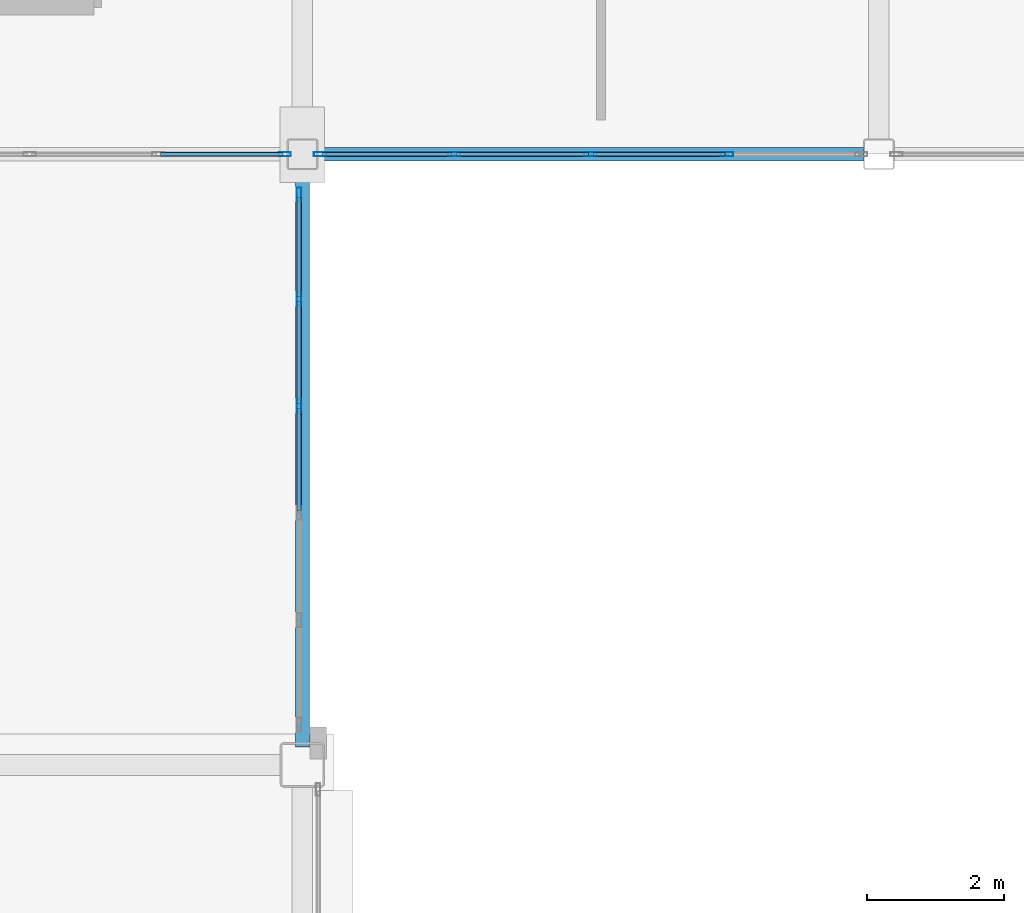
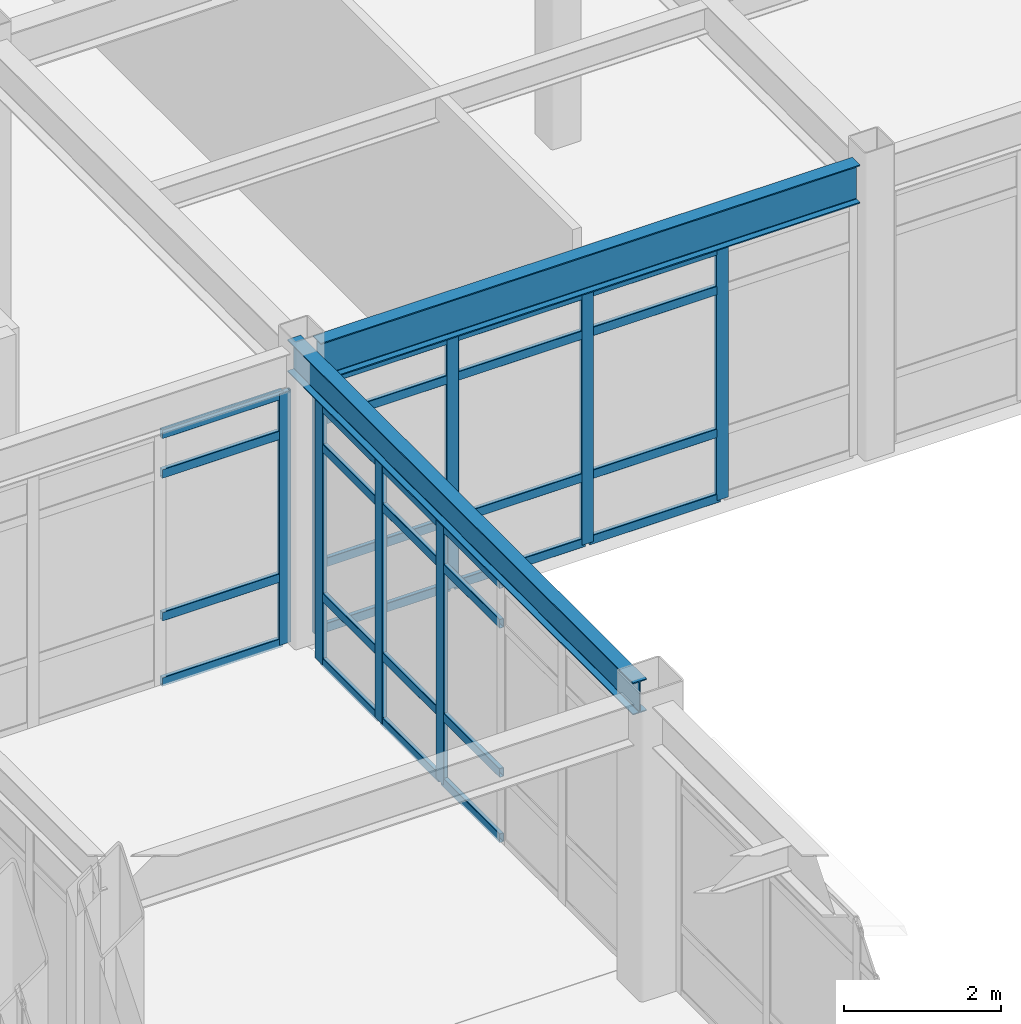
# One storey, part 76 of 172: 36 members, 2 beams, 3 elements without a shape of their own.
"""IFC4 building model written with IfcOpenShell, lengths in metres."""

from ifc_helpers import new_model, si_unit, direction, frame, origin, origin_2d, place, context, subcontext, project, spatial, hollow_rectangle, i_section, extrude, material, layer, layer_set, material_profile, profile_set, type_object, element, aggregate, save


model = new_model("IFC4")

# Units and contexts
model_context = context("Model", 3, precision=1e-05, world=origin(), true_north=direction((0.0, 1.0)))
body_context = subcontext(model_context, "Body", "Model", "MODEL_VIEW")
ifc_project = project(units=[si_unit("LENGTHUNIT", "METRE"), si_unit("AREAUNIT", "SQUARE_METRE"), si_unit("VOLUMEUNIT", "CUBIC_METRE"), si_unit("PLANEANGLEUNIT", "RADIAN"), si_unit("MASSUNIT", "GRAM", prefix="KILO")], contexts=[model_context])

# Site, building, storey
site_placement = place(None, origin())
site = spatial("IfcSite", under=ifc_project, at=site_placement, CompositionType="ELEMENT")
building_placement = place(site_placement, origin())
building = spatial("IfcBuilding", under=site, at=building_placement, Name="Kazehara Bluff Congress Hotel", CompositionType="ELEMENT")
storey_placement = place(building_placement, frame((0.0, 0.0, 5.39990234375)))
storey = spatial("IfcBuildingStorey", under=building, at=storey_placement, Name="L01", CompositionType="ELEMENT", Elevation=5.39990234375)

# Curtain wall, member
ifc_material_1 = material(Name="Anodised aluminium", Category="aluminium")
ifc_layer_1 = layer(ifc_material_1, 0.159912109375)
ifc_layer_set_1 = layer_set([ifc_layer_1], Name="Anodised aluminium")
curtain_wall_type_1 = type_object("IfcCurtainWallType", Name="TP-CW-13", PredefinedType="NOTDEFINED", material=ifc_layer_set_1)
curtain_wall_1_placement = place(storey_placement, origin())
curtain_wall_1 = element("IfcCurtainWall", 1, at=curtain_wall_1_placement, inside=storey, type_object=curtain_wall_type_1, Name="L01 curtain wall CW-13 CW-V3-L01-Y8090-5992", PredefinedType="NOTDEFINED")
ifc_material_2 = material(Name="Anodised aluminium", Category="aluminium")
ifc_material_profile_1 = material_profile(ifc_material_2, hollow_rectangle(XDim=0.06494140625, YDim=0.179931640625, WallThickness=0.00390625, InnerFilletRadius=0.00390625, OuterFilletRadius=0.008056640625, at=origin_2d()))
ifc_profile_set_1 = profile_set([ifc_material_profile_1], Name="Anodised aluminium")
member_type_1 = type_object("IfcMemberType", Name="TP-CWM-02", PredefinedType="MULLION", material=ifc_profile_set_1)
member_1_placement = place(storey_placement, frame((67.392578125, 80.89990234375, 0.0), z_axis=(0.0, 0.0, 1.0), x_axis=(0.0, 1.0, 0.0)))
member_1 = element("IfcMember", 2, at=member_1_placement, type_object=member_type_1, Name="CW-13 mullion 5", PredefinedType="MULLION", context=body_context, shape_type="SweptSolid", body=[
    extrude(hollow_rectangle(XDim=0.06494140625, YDim=0.179931640625, WallThickness=0.00390625, InnerFilletRadius=0.00390625, OuterFilletRadius=0.008056640625, at=origin_2d()), origin(), (0.0, 0.0, 1.0), 3.925048828125),
])

# Curtain wall, members
ifc_material_3 = material(Name="Anodised aluminium", Category="aluminium")
ifc_layer_2 = layer(ifc_material_3, 0.159912109375)
ifc_layer_set_2 = layer_set([ifc_layer_2], Name="Anodised aluminium")
curtain_wall_type_2 = type_object("IfcCurtainWallType", Name="TP-CW-37", PredefinedType="NOTDEFINED", material=ifc_layer_set_2)
curtain_wall_2_placement = place(storey_placement, origin())
curtain_wall_2 = element("IfcCurtainWall", 3, at=curtain_wall_2_placement, inside=storey, type_object=curtain_wall_type_2, Name="L01 curtain wall CW-37 CW-V3-L01-Y8090-6788", PredefinedType="NOTDEFINED")
member_2_placement = place(storey_placement, frame((67.907470703125, 80.89990234375, 0.0), z_axis=(0.0, 0.0, 1.0), x_axis=(0.0, 1.0, 0.0)))
member_2 = element("IfcMember", 4, at=member_2_placement, type_object=member_type_1, Name="CW-37 mullion 1", PredefinedType="MULLION", context=body_context, shape_type="SweptSolid", body=[
    extrude(hollow_rectangle(XDim=0.06494140625, YDim=0.179931640625, WallThickness=0.00390625, InnerFilletRadius=0.00390625, OuterFilletRadius=0.008056640625, at=origin_2d()), origin(), (0.0, 0.0, 1.0), 3.925048828125),
])
member_3_placement = place(storey_placement, frame((69.862548828125, 80.89990234375, 0.0), z_axis=(0.0, 0.0, 1.0), x_axis=(0.0, 1.0, 0.0)))
member_3 = element("IfcMember", 5, at=member_3_placement, type_object=member_type_1, Name="CW-37 mullion 2", PredefinedType="MULLION", context=body_context, shape_type="SweptSolid", body=[
    extrude(hollow_rectangle(XDim=0.06494140625, YDim=0.179931640625, WallThickness=0.00390625, InnerFilletRadius=0.00390625, OuterFilletRadius=0.008056640625, at=origin_2d()), origin(), (0.0, 0.0, 1.0), 3.925048828125),
])
member_4_placement = place(storey_placement, frame((71.85009765625, 80.89990234375, 0.0), z_axis=(0.0, 0.0, 1.0), x_axis=(0.0, 1.0, 0.0)))
member_4 = element("IfcMember", 6, at=member_4_placement, type_object=member_type_1, Name="CW-37 mullion 3", PredefinedType="MULLION", context=body_context, shape_type="SweptSolid", body=[
    extrude(hollow_rectangle(XDim=0.06494140625, YDim=0.179931640625, WallThickness=0.00390625, InnerFilletRadius=0.00390625, OuterFilletRadius=0.008056640625, at=origin_2d()), origin(), (0.0, 0.0, 1.0), 3.925048828125),
])
member_5_placement = place(storey_placement, frame((73.83740234375, 80.89990234375, 0.0), z_axis=(0.0, 0.0, 1.0), x_axis=(0.0, 1.0, 0.0)))
member_5 = element("IfcMember", 7, at=member_5_placement, type_object=member_type_1, Name="CW-37 mullion 4", PredefinedType="MULLION", context=body_context, shape_type="SweptSolid", body=[
    extrude(hollow_rectangle(XDim=0.06494140625, YDim=0.179931640625, WallThickness=0.00390625, InnerFilletRadius=0.00390625, OuterFilletRadius=0.008056640625, at=origin_2d()), origin(), (0.0, 0.0, 1.0), 3.925048828125),
])

ifc_material_4 = material(Name="Anodised aluminium", Category="aluminium")
ifc_layer_3 = layer(ifc_material_4, 0.159912109375)
ifc_layer_set_3 = layer_set([ifc_layer_3], Name="Anodised aluminium")
curtain_wall_type_3 = type_object("IfcCurtainWallType", Name="TP-CW-02", PredefinedType="NOTDEFINED", material=ifc_layer_set_3)
curtain_wall_3_placement = place(storey_placement, origin())
curtain_wall_3 = element("IfcCurtainWall", 8, at=curtain_wall_3_placement, inside=storey, type_object=curtain_wall_type_3, Name="L01 curtain wall CW-02 CW-BRG-34-L01-B", PredefinedType="NOTDEFINED")
ifc_material_5 = material(Name="Anodised aluminium", Category="aluminium")
ifc_material_profile_2 = material_profile(ifc_material_5, hollow_rectangle(XDim=0.070068359375, YDim=0.199951171875, WallThickness=0.0048828125, InnerFilletRadius=0.0048828125, OuterFilletRadius=0.010009765625, at=origin_2d()))
ifc_profile_set_2 = profile_set([ifc_material_profile_2], Name="Anodised aluminium")
member_type_2 = type_object("IfcMemberType", Name="TP-CWM-03", PredefinedType="MULLION", material=ifc_profile_set_2)
member_6_placement = place(storey_placement, frame((67.60009765625, 77.22998046875, 0.0), z_axis=(0.0, 0.0, 1.0), x_axis=(-1.0, 0.0, 0.0)))
member_6 = element("IfcMember", 9, at=member_6_placement, type_object=member_type_2, Name="CW-02 mullion 4", PredefinedType="MULLION", context=body_context, shape_type="SweptSolid", body=[
    extrude(hollow_rectangle(XDim=0.070068359375, YDim=0.199951171875, WallThickness=0.0048828125, InnerFilletRadius=0.0048828125, OuterFilletRadius=0.010009765625, at=origin_2d()), origin(), (0.0, 0.0, 1.0), 4.025146484375),
])
member_7_placement = place(storey_placement, frame((67.60009765625, 78.7900390625, 0.0), z_axis=(0.0, 0.0, 1.0), x_axis=(-1.0, 0.0, 0.0)))
member_7 = element("IfcMember", 10, at=member_7_placement, type_object=member_type_2, Name="CW-02 mullion 5", PredefinedType="MULLION", context=body_context, shape_type="SweptSolid", body=[
    extrude(hollow_rectangle(XDim=0.070068359375, YDim=0.199951171875, WallThickness=0.0048828125, InnerFilletRadius=0.0048828125, OuterFilletRadius=0.010009765625, at=origin_2d()), origin(), (0.0, 0.0, 1.0), 4.025146484375),
])
member_8_placement = place(storey_placement, frame((67.60009765625, 80.31494140625, 0.0), z_axis=(0.0, 0.0, 1.0), x_axis=(-1.0, 0.0, 0.0)))
member_8 = element("IfcMember", 11, at=member_8_placement, type_object=member_type_2, Name="CW-02 mullion 6", PredefinedType="MULLION", context=body_context, shape_type="SweptSolid", body=[
    extrude(hollow_rectangle(XDim=0.070068359375, YDim=0.199951171875, WallThickness=0.0048828125, InnerFilletRadius=0.0048828125, OuterFilletRadius=0.010009765625, at=origin_2d()), origin(), (0.0, 0.0, 1.0), 4.025146484375),
])
ifc_material_6 = material(Name="Anodised aluminium", Category="aluminium")
ifc_material_profile_3 = material_profile(ifc_material_6, hollow_rectangle(XDim=0.06494140625, YDim=0.139892578125, WallThickness=0.00390625, InnerFilletRadius=0.00390625, OuterFilletRadius=0.008056640625, at=origin_2d()))
ifc_profile_set_3 = profile_set([ifc_material_profile_3], Name="Anodised aluminium")
member_type_3 = type_object("IfcMemberType", Name="TP-CWT-02", PredefinedType="USERDEFINED", material=ifc_profile_set_3)
member_9_placement = place(storey_placement, frame((67.60009765625, 75.705078125, 0.03271484375), z_axis=(0.0, 1.0, 0.0), x_axis=(-1.0, 0.0, 0.0)))
member_9 = element("IfcMember", 12, at=member_9_placement, type_object=member_type_3, Name="CW-02 transom 3.1", ObjectType="TRANSOM", PredefinedType="USERDEFINED", context=body_context, shape_type="SweptSolid", body=[
    extrude(hollow_rectangle(XDim=0.06494140625, YDim=0.139892578125, WallThickness=0.00390625, InnerFilletRadius=0.00390625, OuterFilletRadius=0.008056640625, at=origin_2d()), origin(), (0.0, 0.0, 1.0), 1.489990234375),
])
member_10_placement = place(storey_placement, frame((67.60009765625, 75.705078125, 1.050048828125), z_axis=(0.0, 1.0, 0.0), x_axis=(-1.0, 0.0, 0.0)))
member_10 = element("IfcMember", 13, at=member_10_placement, type_object=member_type_3, Name="CW-02 transom 3.2", ObjectType="TRANSOM", PredefinedType="USERDEFINED", context=body_context, shape_type="SweptSolid", body=[
    extrude(hollow_rectangle(XDim=0.06494140625, YDim=0.139892578125, WallThickness=0.00390625, InnerFilletRadius=0.00390625, OuterFilletRadius=0.008056640625, at=origin_2d()), origin(), (0.0, 0.0, 1.0), 1.489990234375),
])
member_11_placement = place(storey_placement, frame((67.60009765625, 75.705078125, 3.375), z_axis=(0.0, 1.0, 0.0), x_axis=(-1.0, 0.0, 0.0)))
member_11 = element("IfcMember", 14, at=member_11_placement, type_object=member_type_3, Name="CW-02 transom 3.3", ObjectType="TRANSOM", PredefinedType="USERDEFINED", context=body_context, shape_type="SweptSolid", body=[
    extrude(hollow_rectangle(XDim=0.06494140625, YDim=0.139892578125, WallThickness=0.00390625, InnerFilletRadius=0.00390625, OuterFilletRadius=0.008056640625, at=origin_2d()), origin(), (0.0, 0.0, 1.0), 1.489990234375),
])
member_12_placement = place(storey_placement, frame((67.60009765625, 75.705078125, 3.99267578125), z_axis=(0.0, 1.0, 0.0), x_axis=(-1.0, 0.0, 0.0)))
member_12 = element("IfcMember", 15, at=member_12_placement, type_object=member_type_3, Name="CW-02 transom 3.4", ObjectType="TRANSOM", PredefinedType="USERDEFINED", context=body_context, shape_type="SweptSolid", body=[
    extrude(hollow_rectangle(XDim=0.06494140625, YDim=0.139892578125, WallThickness=0.00390625, InnerFilletRadius=0.00390625, OuterFilletRadius=0.008056640625, at=origin_2d()), origin(), (0.0, 0.0, 1.0), 1.489990234375),
])
member_13_placement = place(storey_placement, frame((67.60009765625, 77.264892578125, 0.03271484375), z_axis=(0.0, 1.0, 0.0), x_axis=(-1.0, 0.0, 0.0)))
member_13 = element("IfcMember", 16, at=member_13_placement, type_object=member_type_3, Name="CW-02 transom 4.1", ObjectType="TRANSOM", PredefinedType="USERDEFINED", context=body_context, shape_type="SweptSolid", body=[
    extrude(hollow_rectangle(XDim=0.06494140625, YDim=0.139892578125, WallThickness=0.00390625, InnerFilletRadius=0.00390625, OuterFilletRadius=0.008056640625, at=origin_2d()), origin(), (0.0, 0.0, 1.0), 1.489990234375),
])
member_14_placement = place(storey_placement, frame((67.60009765625, 77.264892578125, 1.050048828125), z_axis=(0.0, 1.0, 0.0), x_axis=(-1.0, 0.0, 0.0)))
member_14 = element("IfcMember", 17, at=member_14_placement, type_object=member_type_3, Name="CW-02 transom 4.2", ObjectType="TRANSOM", PredefinedType="USERDEFINED", context=body_context, shape_type="SweptSolid", body=[
    extrude(hollow_rectangle(XDim=0.06494140625, YDim=0.139892578125, WallThickness=0.00390625, InnerFilletRadius=0.00390625, OuterFilletRadius=0.008056640625, at=origin_2d()), origin(), (0.0, 0.0, 1.0), 1.489990234375),
])
member_15_placement = place(storey_placement, frame((67.60009765625, 77.264892578125, 3.375), z_axis=(0.0, 1.0, 0.0), x_axis=(-1.0, 0.0, 0.0)))
member_15 = element("IfcMember", 18, at=member_15_placement, type_object=member_type_3, Name="CW-02 transom 4.3", ObjectType="TRANSOM", PredefinedType="USERDEFINED", context=body_context, shape_type="SweptSolid", body=[
    extrude(hollow_rectangle(XDim=0.06494140625, YDim=0.139892578125, WallThickness=0.00390625, InnerFilletRadius=0.00390625, OuterFilletRadius=0.008056640625, at=origin_2d()), origin(), (0.0, 0.0, 1.0), 1.489990234375),
])
member_16_placement = place(storey_placement, frame((67.60009765625, 77.264892578125, 3.99267578125), z_axis=(0.0, 1.0, 0.0), x_axis=(-1.0, 0.0, 0.0)))
member_16 = element("IfcMember", 19, at=member_16_placement, type_object=member_type_3, Name="CW-02 transom 4.4", ObjectType="TRANSOM", PredefinedType="USERDEFINED", context=body_context, shape_type="SweptSolid", body=[
    extrude(hollow_rectangle(XDim=0.06494140625, YDim=0.139892578125, WallThickness=0.00390625, InnerFilletRadius=0.00390625, OuterFilletRadius=0.008056640625, at=origin_2d()), origin(), (0.0, 0.0, 1.0), 1.489990234375),
])
member_17_placement = place(storey_placement, frame((67.60009765625, 78.824951171875, 0.03271484375), z_axis=(0.0, 1.0, 0.0), x_axis=(-1.0, 0.0, 0.0)))
member_17 = element("IfcMember", 20, at=member_17_placement, type_object=member_type_3, Name="CW-02 transom 5.1", ObjectType="TRANSOM", PredefinedType="USERDEFINED", context=body_context, shape_type="SweptSolid", body=[
    extrude(hollow_rectangle(XDim=0.06494140625, YDim=0.139892578125, WallThickness=0.00390625, InnerFilletRadius=0.00390625, OuterFilletRadius=0.008056640625, at=origin_2d()), origin(), (0.0, 0.0, 1.0), 1.455078125),
])
member_18_placement = place(storey_placement, frame((67.60009765625, 78.824951171875, 1.050048828125), z_axis=(0.0, 1.0, 0.0), x_axis=(-1.0, 0.0, 0.0)))
member_18 = element("IfcMember", 21, at=member_18_placement, type_object=member_type_3, Name="CW-02 transom 5.2", ObjectType="TRANSOM", PredefinedType="USERDEFINED", context=body_context, shape_type="SweptSolid", body=[
    extrude(hollow_rectangle(XDim=0.06494140625, YDim=0.139892578125, WallThickness=0.00390625, InnerFilletRadius=0.00390625, OuterFilletRadius=0.008056640625, at=origin_2d()), origin(), (0.0, 0.0, 1.0), 1.455078125),
])
member_19_placement = place(storey_placement, frame((67.60009765625, 78.824951171875, 3.375), z_axis=(0.0, 1.0, 0.0), x_axis=(-1.0, 0.0, 0.0)))
member_19 = element("IfcMember", 22, at=member_19_placement, type_object=member_type_3, Name="CW-02 transom 5.3", ObjectType="TRANSOM", PredefinedType="USERDEFINED", context=body_context, shape_type="SweptSolid", body=[
    extrude(hollow_rectangle(XDim=0.06494140625, YDim=0.139892578125, WallThickness=0.00390625, InnerFilletRadius=0.00390625, OuterFilletRadius=0.008056640625, at=origin_2d()), origin(), (0.0, 0.0, 1.0), 1.455078125),
])
member_20_placement = place(storey_placement, frame((67.60009765625, 78.824951171875, 3.99267578125), z_axis=(0.0, 1.0, 0.0), x_axis=(-1.0, 0.0, 0.0)))
member_20 = element("IfcMember", 23, at=member_20_placement, type_object=member_type_3, Name="CW-02 transom 5.4", ObjectType="TRANSOM", PredefinedType="USERDEFINED", context=body_context, shape_type="SweptSolid", body=[
    extrude(hollow_rectangle(XDim=0.06494140625, YDim=0.139892578125, WallThickness=0.00390625, InnerFilletRadius=0.00390625, OuterFilletRadius=0.008056640625, at=origin_2d()), origin(), (0.0, 0.0, 1.0), 1.455078125),
])
aggregate(curtain_wall_3, [member_6, member_7, member_8, member_9, member_10, member_11, member_12, member_13, member_14, member_15, member_16, member_17, member_18, member_19, member_20])

# Member
member_21_placement = place(storey_placement, frame((65.58251953125, 80.89990234375, 0.03271484375), z_axis=(1.0, 0.0, 0.0), x_axis=(0.0, 1.0, 0.0)))
member_21 = element("IfcMember", 24, at=member_21_placement, type_object=member_type_3, Name="CW-13 transom 4.1", ObjectType="TRANSOM", PredefinedType="USERDEFINED", context=body_context, shape_type="SweptSolid", body=[
    extrude(hollow_rectangle(XDim=0.06494140625, YDim=0.139892578125, WallThickness=0.00390625, InnerFilletRadius=0.00390625, OuterFilletRadius=0.008056640625, at=origin_2d()), origin(), (0.0, 0.0, 1.0), 1.777587890625),
])

member_22_placement = place(storey_placement, frame((65.58251953125, 80.89990234375, 1.050048828125), z_axis=(1.0, 0.0, 0.0), x_axis=(0.0, 1.0, 0.0)))
member_22 = element("IfcMember", 25, at=member_22_placement, type_object=member_type_3, Name="CW-13 transom 4.2", ObjectType="TRANSOM", PredefinedType="USERDEFINED", context=body_context, shape_type="SweptSolid", body=[
    extrude(hollow_rectangle(XDim=0.06494140625, YDim=0.139892578125, WallThickness=0.00390625, InnerFilletRadius=0.00390625, OuterFilletRadius=0.008056640625, at=origin_2d()), origin(), (0.0, 0.0, 1.0), 1.777587890625),
])

member_23_placement = place(storey_placement, frame((65.58251953125, 80.89990234375, 3.275146484375), z_axis=(1.0, 0.0, 0.0), x_axis=(0.0, 1.0, 0.0)))
member_23 = element("IfcMember", 26, at=member_23_placement, type_object=member_type_3, Name="CW-13 transom 4.3", ObjectType="TRANSOM", PredefinedType="USERDEFINED", context=body_context, shape_type="SweptSolid", body=[
    extrude(hollow_rectangle(XDim=0.06494140625, YDim=0.139892578125, WallThickness=0.00390625, InnerFilletRadius=0.00390625, OuterFilletRadius=0.008056640625, at=origin_2d()), origin(), (0.0, 0.0, 1.0), 1.777587890625),
])

member_24_placement = place(storey_placement, frame((65.58251953125, 80.89990234375, 3.892578125), z_axis=(1.0, 0.0, 0.0), x_axis=(0.0, 1.0, 0.0)))
member_24 = element("IfcMember", 27, at=member_24_placement, type_object=member_type_3, Name="CW-13 transom 4.4", ObjectType="TRANSOM", PredefinedType="USERDEFINED", context=body_context, shape_type="SweptSolid", body=[
    extrude(hollow_rectangle(XDim=0.06494140625, YDim=0.139892578125, WallThickness=0.00390625, InnerFilletRadius=0.00390625, OuterFilletRadius=0.008056640625, at=origin_2d()), origin(), (0.0, 0.0, 1.0), 1.777587890625),
])

aggregate(curtain_wall_1, [member_1, member_21, member_22, member_23, member_24])

member_25_placement = place(storey_placement, frame((67.93994140625, 80.89990234375, 0.03271484375), z_axis=(1.0, 0.0, 0.0), x_axis=(0.0, 1.0, 0.0)))
member_25 = element("IfcMember", 28, at=member_25_placement, type_object=member_type_3, Name="CW-37 transom 1.1", ObjectType="TRANSOM", PredefinedType="USERDEFINED", context=body_context, shape_type="SweptSolid", body=[
    extrude(hollow_rectangle(XDim=0.06494140625, YDim=0.139892578125, WallThickness=0.00390625, InnerFilletRadius=0.00390625, OuterFilletRadius=0.008056640625, at=origin_2d()), origin(), (0.0, 0.0, 1.0), 1.89013671875),
])

member_26_placement = place(storey_placement, frame((67.93994140625, 80.89990234375, 1.050048828125), z_axis=(1.0, 0.0, 0.0), x_axis=(0.0, 1.0, 0.0)))
member_26 = element("IfcMember", 29, at=member_26_placement, type_object=member_type_3, Name="CW-37 transom 1.2", ObjectType="TRANSOM", PredefinedType="USERDEFINED", context=body_context, shape_type="SweptSolid", body=[
    extrude(hollow_rectangle(XDim=0.06494140625, YDim=0.139892578125, WallThickness=0.00390625, InnerFilletRadius=0.00390625, OuterFilletRadius=0.008056640625, at=origin_2d()), origin(), (0.0, 0.0, 1.0), 1.89013671875),
])

member_27_placement = place(storey_placement, frame((67.93994140625, 80.89990234375, 3.275146484375), z_axis=(1.0, 0.0, 0.0), x_axis=(0.0, 1.0, 0.0)))
member_27 = element("IfcMember", 30, at=member_27_placement, type_object=member_type_3, Name="CW-37 transom 1.3", ObjectType="TRANSOM", PredefinedType="USERDEFINED", context=body_context, shape_type="SweptSolid", body=[
    extrude(hollow_rectangle(XDim=0.06494140625, YDim=0.139892578125, WallThickness=0.00390625, InnerFilletRadius=0.00390625, OuterFilletRadius=0.008056640625, at=origin_2d()), origin(), (0.0, 0.0, 1.0), 1.89013671875),
])

member_28_placement = place(storey_placement, frame((67.93994140625, 80.89990234375, 3.892578125), z_axis=(1.0, 0.0, 0.0), x_axis=(0.0, 1.0, 0.0)))
member_28 = element("IfcMember", 31, at=member_28_placement, type_object=member_type_3, Name="CW-37 transom 1.4", ObjectType="TRANSOM", PredefinedType="USERDEFINED", context=body_context, shape_type="SweptSolid", body=[
    extrude(hollow_rectangle(XDim=0.06494140625, YDim=0.139892578125, WallThickness=0.00390625, InnerFilletRadius=0.00390625, OuterFilletRadius=0.008056640625, at=origin_2d()), origin(), (0.0, 0.0, 1.0), 1.89013671875),
])

member_29_placement = place(storey_placement, frame((69.89501953125, 80.89990234375, 0.03271484375), z_axis=(1.0, 0.0, 0.0), x_axis=(0.0, 1.0, 0.0)))
member_29 = element("IfcMember", 32, at=member_29_placement, type_object=member_type_3, Name="CW-37 transom 2.1", ObjectType="TRANSOM", PredefinedType="USERDEFINED", context=body_context, shape_type="SweptSolid", body=[
    extrude(hollow_rectangle(XDim=0.06494140625, YDim=0.139892578125, WallThickness=0.00390625, InnerFilletRadius=0.00390625, OuterFilletRadius=0.008056640625, at=origin_2d()), origin(), (0.0, 0.0, 1.0), 1.92236328125),
])

member_30_placement = place(storey_placement, frame((69.89501953125, 80.89990234375, 1.050048828125), z_axis=(1.0, 0.0, 0.0), x_axis=(0.0, 1.0, 0.0)))
member_30 = element("IfcMember", 33, at=member_30_placement, type_object=member_type_3, Name="CW-37 transom 2.2", ObjectType="TRANSOM", PredefinedType="USERDEFINED", context=body_context, shape_type="SweptSolid", body=[
    extrude(hollow_rectangle(XDim=0.06494140625, YDim=0.139892578125, WallThickness=0.00390625, InnerFilletRadius=0.00390625, OuterFilletRadius=0.008056640625, at=origin_2d()), origin(), (0.0, 0.0, 1.0), 1.92236328125),
])

member_31_placement = place(storey_placement, frame((69.89501953125, 80.89990234375, 3.275146484375), z_axis=(1.0, 0.0, 0.0), x_axis=(0.0, 1.0, 0.0)))
member_31 = element("IfcMember", 34, at=member_31_placement, type_object=member_type_3, Name="CW-37 transom 2.3", ObjectType="TRANSOM", PredefinedType="USERDEFINED", context=body_context, shape_type="SweptSolid", body=[
    extrude(hollow_rectangle(XDim=0.06494140625, YDim=0.139892578125, WallThickness=0.00390625, InnerFilletRadius=0.00390625, OuterFilletRadius=0.008056640625, at=origin_2d()), origin(), (0.0, 0.0, 1.0), 1.92236328125),
])

member_32_placement = place(storey_placement, frame((69.89501953125, 80.89990234375, 3.892578125), z_axis=(1.0, 0.0, 0.0), x_axis=(0.0, 1.0, 0.0)))
member_32 = element("IfcMember", 35, at=member_32_placement, type_object=member_type_3, Name="CW-37 transom 2.4", ObjectType="TRANSOM", PredefinedType="USERDEFINED", context=body_context, shape_type="SweptSolid", body=[
    extrude(hollow_rectangle(XDim=0.06494140625, YDim=0.139892578125, WallThickness=0.00390625, InnerFilletRadius=0.00390625, OuterFilletRadius=0.008056640625, at=origin_2d()), origin(), (0.0, 0.0, 1.0), 1.92236328125),
])

member_33_placement = place(storey_placement, frame((71.882568359375, 80.89990234375, 0.03271484375), z_axis=(1.0, 0.0, 0.0), x_axis=(0.0, 1.0, 0.0)))
member_33 = element("IfcMember", 36, at=member_33_placement, type_object=member_type_3, Name="CW-37 transom 3.1", ObjectType="TRANSOM", PredefinedType="USERDEFINED", context=body_context, shape_type="SweptSolid", body=[
    extrude(hollow_rectangle(XDim=0.06494140625, YDim=0.139892578125, WallThickness=0.00390625, InnerFilletRadius=0.00390625, OuterFilletRadius=0.008056640625, at=origin_2d()), origin(), (0.0, 0.0, 1.0), 1.92236328125),
])

member_34_placement = place(storey_placement, frame((71.882568359375, 80.89990234375, 1.050048828125), z_axis=(1.0, 0.0, 0.0), x_axis=(0.0, 1.0, 0.0)))
member_34 = element("IfcMember", 37, at=member_34_placement, type_object=member_type_3, Name="CW-37 transom 3.2", ObjectType="TRANSOM", PredefinedType="USERDEFINED", context=body_context, shape_type="SweptSolid", body=[
    extrude(hollow_rectangle(XDim=0.06494140625, YDim=0.139892578125, WallThickness=0.00390625, InnerFilletRadius=0.00390625, OuterFilletRadius=0.008056640625, at=origin_2d()), origin(), (0.0, 0.0, 1.0), 1.92236328125),
])

member_35_placement = place(storey_placement, frame((71.882568359375, 80.89990234375, 3.275146484375), z_axis=(1.0, 0.0, 0.0), x_axis=(0.0, 1.0, 0.0)))
member_35 = element("IfcMember", 38, at=member_35_placement, type_object=member_type_3, Name="CW-37 transom 3.3", ObjectType="TRANSOM", PredefinedType="USERDEFINED", context=body_context, shape_type="SweptSolid", body=[
    extrude(hollow_rectangle(XDim=0.06494140625, YDim=0.139892578125, WallThickness=0.00390625, InnerFilletRadius=0.00390625, OuterFilletRadius=0.008056640625, at=origin_2d()), origin(), (0.0, 0.0, 1.0), 1.92236328125),
])

member_36_placement = place(storey_placement, frame((71.882568359375, 80.89990234375, 3.892578125), z_axis=(1.0, 0.0, 0.0), x_axis=(0.0, 1.0, 0.0)))
member_36 = element("IfcMember", 39, at=member_36_placement, type_object=member_type_3, Name="CW-37 transom 3.4", ObjectType="TRANSOM", PredefinedType="USERDEFINED", context=body_context, shape_type="SweptSolid", body=[
    extrude(hollow_rectangle(XDim=0.06494140625, YDim=0.139892578125, WallThickness=0.00390625, InnerFilletRadius=0.00390625, OuterFilletRadius=0.008056640625, at=origin_2d()), origin(), (0.0, 0.0, 1.0), 1.92236328125),
])

aggregate(curtain_wall_2, [member_2, member_3, member_4, member_5, member_25, member_26, member_27, member_28, member_29, member_30, member_31, member_32, member_33, member_34, member_35, member_36])

# Beams
ifc_material_7 = material(Name="Steel SN490B", Category="steel")
ifc_material_profile_4 = material_profile(ifc_material_7, i_section(OverallWidth=0.199951171875, OverallDepth=0.5, WebThickness=0.010009765625, FlangeThickness=0.01611328125, FilletRadius=0.012939453125, at=origin_2d()))
ifc_profile_set_4 = profile_set([ifc_material_profile_4], Name="Steel SN490B")
beam_type_1 = type_object("IfcBeamType", Name="TP-G-01", PredefinedType="BEAM", material=ifc_profile_set_4)
beam_1_placement = place(storey_placement, frame((67.64990234375, 72.260009765625, 4.300048828125), z_axis=(0.0, 1.0, 0.0), x_axis=(-1.0, 0.0, 0.0)))
element("IfcBeam", 40, at=beam_1_placement, inside=storey, type_object=beam_type_1, Name="Bridge edge beam BRG-34 L02-2", PredefinedType="BEAM", context=body_context, shape_type="SweptSolid", body=[
    extrude(i_section(OverallWidth=0.199951171875, OverallDepth=0.5, WebThickness=0.010009765625, FlangeThickness=0.01611328125, FilletRadius=0.012939453125, at=origin_2d()), origin(), (0.0, 0.0, 1.0), 8.830078125),
])
ifc_material_8 = material(Name="Steel SN490B", Category="steel")
ifc_material_profile_5 = material_profile(ifc_material_8, i_section(OverallWidth=0.199951171875, OverallDepth=0.60009765625, WebThickness=0.010986328125, FlangeThickness=0.01708984375, FilletRadius=0.012939453125, at=origin_2d()))
ifc_profile_set_5 = profile_set([ifc_material_profile_5], Name="Steel SN490B")
beam_type_2 = type_object("IfcBeamType", Name="TP-SP-02", PredefinedType="SPANDREL", material=ifc_profile_set_5)
beam_2_placement = place(storey_placement, frame((67.875, 80.89990234375, 4.25), z_axis=(1.0, 0.0, 0.0), x_axis=(0.0, 1.0, 0.0)))
element("IfcBeam", 41, at=beam_2_placement, inside=storey, type_object=beam_type_2, Name="L01 girder SP-02 124", PredefinedType="SPANDREL", context=body_context, shape_type="SweptSolid", body=[
    extrude(i_section(OverallWidth=0.199951171875, OverallDepth=0.60009765625, WebThickness=0.010986328125, FlangeThickness=0.01708984375, FilletRadius=0.012939453125, at=origin_2d()), origin(), (0.0, 0.0, 1.0), 7.949951171875),
])

save(model, "model.ifc")
